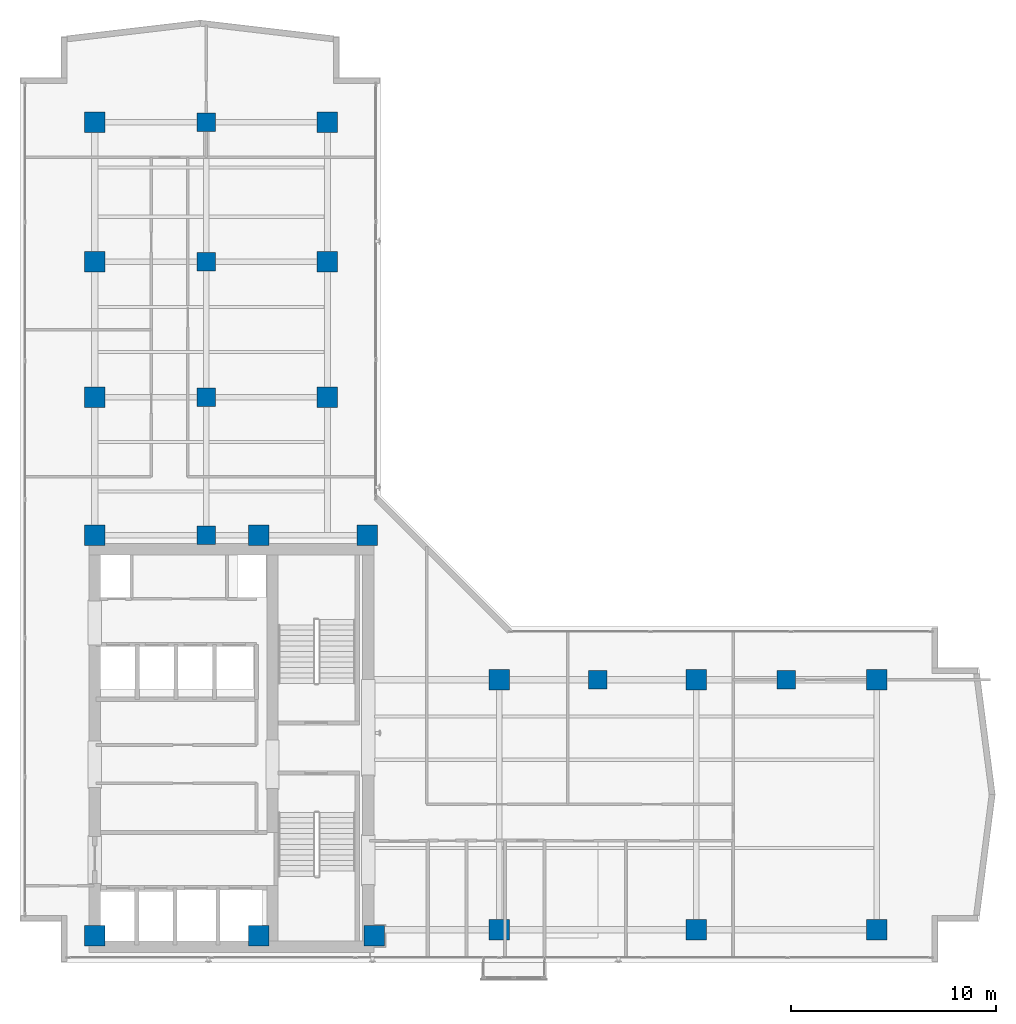
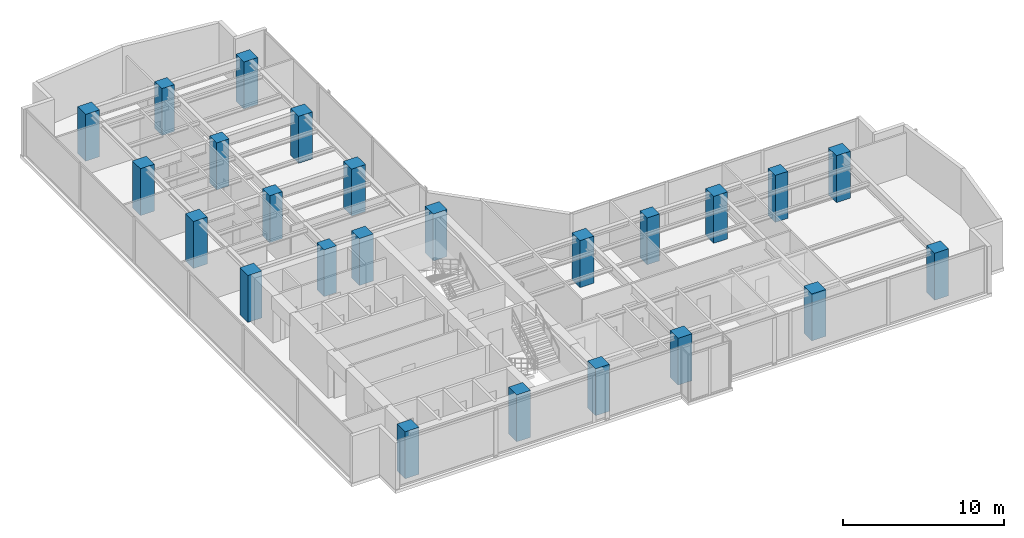
# One storey, part 1 of 22: 24 columns.
"""IFC4 building model written with IfcOpenShell, lengths in metres."""

from ifc_helpers import new_model, si_unit, direction, frame, origin, origin_2d, place, context, subcontext, project, spatial, rectangle, extrude, material, material_profile, profile_set, type_object, element, save


model = new_model("IFC4")

# Units and contexts
model_context = context("Model", 3, precision=1e-05, world=origin(), true_north=direction((0.0, 1.0)))
body_context = subcontext(model_context, "Body", "Model", "MODEL_VIEW")
ifc_project = project(units=[si_unit("LENGTHUNIT", "METRE"), si_unit("AREAUNIT", "SQUARE_METRE"), si_unit("VOLUMEUNIT", "CUBIC_METRE"), si_unit("PLANEANGLEUNIT", "RADIAN"), si_unit("MASSUNIT", "GRAM", prefix="KILO")], contexts=[model_context])

# Site, building, storey
site_placement = place(None, origin())
site = spatial("IfcSite", under=ifc_project, at=site_placement, CompositionType="ELEMENT")
building_placement = place(site_placement, origin())
building = spatial("IfcBuilding", under=site, at=building_placement, Name="Kolvaren Waterfront Exchange", CompositionType="ELEMENT")
storey_placement = place(building_placement, frame((0.0, 0.0, 246.300048828125)))
storey = spatial("IfcBuildingStorey", under=building, at=storey_placement, Name="L63", CompositionType="ELEMENT", Elevation=246.300048828125)

# Columns
ifc_material = material(Name="Concrete C50/60", Category="concrete")
ifc_material_profile_1 = material_profile(ifc_material, rectangle(XDim=1.0, YDim=1.0, at=origin_2d()), Name="RC-COL-1000x1000")
ifc_profile_set_1 = profile_set([ifc_material_profile_1], Name="Concrete C50/60")
column_type_1 = type_object("IfcColumnType", Name="STR-COL-1000-C50", PredefinedType="COLUMN", material=ifc_profile_set_1)
for number, where, z_axis, x_axis, name in (
    (1, (7.449951171875, 4.89990234375, 0.0), (0.0, 0.0, 1.0), (1.0, 0.0, 0.0), "L63 column MC01"),
    (2, (15.449951171875, 4.89990234375, 0.0), (0.0, 0.0, 1.0), (1.0, 0.0, 0.0), "L63 column MC02"),
    (3, (21.10009765625, 4.89990234375, 0.0), (0.0, 0.0, 1.0), (1.0, 0.0, 0.0), "L63 column MC03"),
    (4, (7.449951171875, 24.449951171875, 0.0), (0.0, 0.0, 1.0), (1.0, 0.0, 0.0), "L63 column MC04"),
    (5, (15.449951171875, 24.449951171875, 0.0), (0.0, 0.0, 1.0), (1.0, 0.0, 0.0), "L63 column MC05"),
    (6, (20.75, 24.449951171875, 0.0), (0.0, 0.0, 1.0), (1.0, 0.0, 0.0), "L63 column MC06"),
    (7, (7.449951171875, 31.199951171875, 0.0), (0.0, 0.0, 1.0), (1.0, 0.0, 0.0), "L63 column NC01"),
    (8, (7.449951171875, 37.800048828125, 0.0), (0.0, 0.0, 1.0), (1.0, 0.0, 0.0), "L63 column NC02"),
    (9, (7.449951171875, 44.60009765625, 0.0), (0.0, 0.0, 1.0), (1.0, 0.0, 0.0), "L63 column NC03"),
    (10, (18.800048828125, 31.199951171875, 0.0), (0.0, 0.0, 1.0), (1.0, 0.0, 0.0), "L63 column NC04"),
    (11, (18.800048828125, 37.800048828125, 0.0), (0.0, 0.0, 1.0), (1.0, 0.0, 0.0), "L63 column NC05"),
    (12, (18.800048828125, 44.60009765625, 0.0), (0.0, 0.0, 1.0), (1.0, 0.0, 0.0), "L63 column NC06"),
    (13, (27.199951171875, 5.199951171875, 0.0), (0.0, 0.0, 1.0), (1.0, 0.0, 0.0), "L63 column EC01"),
    (14, (36.800048828125, 5.199951171875, 0.0), (0.0, 0.0, 1.0), (1.0, 0.0, 0.0), "L63 column EC02"),
    (15, (45.60009765625, 5.199951171875, 0.0), (0.0, 0.0, 1.0), (1.0, 0.0, 0.0), "L63 column EC03"),
    (16, (27.199951171875, 17.39990234375, 0.0), (0.0, 0.0, 1.0), (1.0, 0.0, 0.0), "L63 column EC04"),
    (17, (36.800048828125, 17.39990234375, 0.0), (0.0, 0.0, 1.0), (1.0, 0.0, 0.0), "L63 column EC05"),
    (18, (45.60009765625, 17.39990234375, 0.0), (0.0, 0.0, 1.0), (1.0, 0.0, 0.0), "L63 column EC06"),
):
    element("IfcColumn", number, at=place(storey_placement, frame(where, z_axis=z_axis, x_axis=x_axis)), inside=storey, type_object=column_type_1, Name=name, PredefinedType="COLUMN", context=body_context, shape_type="SweptSolid", body=[
        extrude(rectangle(XDim=1.0, YDim=1.0, at=origin_2d()), origin(), (0.0, 0.0, 1.0), 3.56005859375),
    ])
ifc_material_profile_2 = material_profile(ifc_material, rectangle(XDim=0.89990234375, YDim=0.89990234375, at=origin_2d()), Name="RC-COL-900x900")
ifc_profile_set_2 = profile_set([ifc_material_profile_2], Name="Concrete C50/60")
column_type_2 = type_object("IfcColumnType", Name="STR-COL-900-C50", PredefinedType="COLUMN", material=ifc_profile_set_2)
for number, where, z_axis, x_axis, name in (
    (19, (12.89990234375, 24.449951171875, 0.0), (0.0, 0.0, 1.0), (1.0, 0.0, 0.0), "L63 column TC01"),
    (20, (12.89990234375, 31.199951171875, 0.0), (0.0, 0.0, 1.0), (1.0, 0.0, 0.0), "L63 column TC02"),
    (21, (12.89990234375, 37.800048828125, 0.0), (0.0, 0.0, 1.0), (1.0, 0.0, 0.0), "L63 column TC03"),
    (22, (12.89990234375, 44.60009765625, 0.0), (0.0, 0.0, 1.0), (1.0, 0.0, 0.0), "L63 column TC04"),
    (23, (32.0, 17.39990234375, 0.0), (0.0, 0.0, 1.0), (1.0, 0.0, 0.0), "L63 column TC05"),
    (24, (41.199951171875, 17.39990234375, 0.0), (0.0, 0.0, 1.0), (1.0, 0.0, 0.0), "L63 column TC06"),
):
    element("IfcColumn", number, at=place(storey_placement, frame(where, z_axis=z_axis, x_axis=x_axis)), inside=storey, type_object=column_type_2, Name=name, PredefinedType="COLUMN", context=body_context, shape_type="SweptSolid", body=[
        extrude(rectangle(XDim=0.89990234375, YDim=0.89990234375, at=origin_2d()), origin(), (0.0, 0.0, 1.0), 3.56005859375),
    ])

save(model, "model.ifc")
